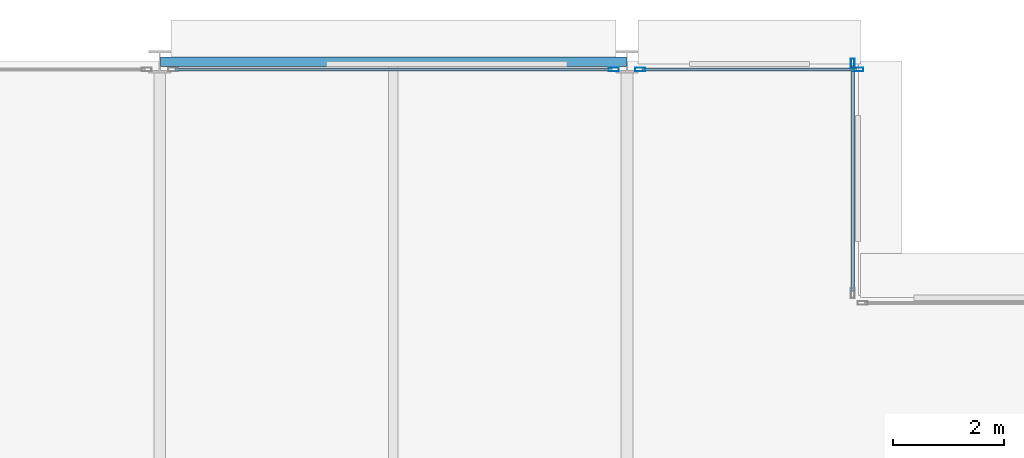
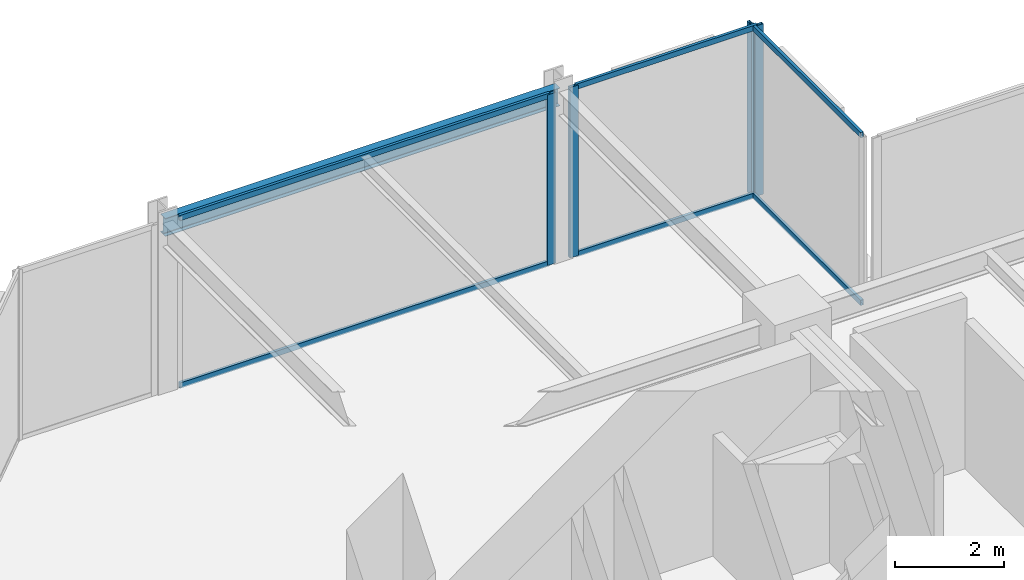
# One storey, part 22 of 30: 10 members, 1 beam, 3 elements without a shape of their own.
"""IFC4 building model written with IfcOpenShell, lengths in metres."""

from ifc_helpers import new_model, si_unit, direction, frame, origin, origin_2d, place, context, subcontext, project, spatial, hollow_rectangle, i_section, extrude, material, layer, layer_set, material_profile, profile_set, type_object, element, aggregate, save


model = new_model("IFC4")

# Units and contexts
model_context = context("Model", 3, precision=1e-05, world=origin(), true_north=direction((0.0, 1.0)))
body_context = subcontext(model_context, "Body", "Model", "MODEL_VIEW")
ifc_project = project(units=[si_unit("LENGTHUNIT", "METRE"), si_unit("AREAUNIT", "SQUARE_METRE"), si_unit("VOLUMEUNIT", "CUBIC_METRE"), si_unit("PLANEANGLEUNIT", "RADIAN"), si_unit("MASSUNIT", "GRAM", prefix="KILO")], contexts=[model_context])

# Site, building, storey
site_placement = place(None, origin())
site = spatial("IfcSite", under=ifc_project, at=site_placement, CompositionType="ELEMENT")
building_placement = place(site_placement, origin())
building = spatial("IfcBuilding", under=site, at=building_placement, Name="Nerrivon Quay Data Exchange", CompositionType="ELEMENT")
storey_placement = place(building_placement, frame((0.0, 0.0, 141.800048828125)))
storey = spatial("IfcBuildingStorey", under=building, at=storey_placement, Name="L33", CompositionType="ELEMENT", Elevation=141.800048828125)

# Beam
ifc_material_1 = material(Name="Steel Grade 350", Category="steel")
ifc_material_profile_1 = material_profile(ifc_material_1, i_section(OverallWidth=0.177978515625, OverallDepth=0.403076171875, WebThickness=0.007568359375, FlangeThickness=0.010986328125, FilletRadius=0.011474609375, at=origin_2d()), Name="410UB53.7")
ifc_profile_set_1 = profile_set([ifc_material_profile_1], Name="Steel Grade 350")
beam_type = type_object("IfcBeamType", Name="BM-SP2-410UB54", PredefinedType="SPANDREL", material=ifc_profile_set_1)
beam_placement = place(storey_placement, frame((8.41259765625, 50.39990234375, 3.62353515625), z_axis=(1.0, 0.0, 0.0), x_axis=(0.0, 1.0, 0.0)))
element("IfcBeam", 1, at=beam_placement, inside=storey, type_object=beam_type, Name="L33 EW Girder Y=50.4 (8.4..16.8)", PredefinedType="SPANDREL", context=body_context, shape_type="SweptSolid", body=[
    extrude(i_section(OverallWidth=0.177978515625, OverallDepth=0.403076171875, WebThickness=0.007568359375, FlangeThickness=0.010986328125, FilletRadius=0.011474609375, at=origin_2d()), origin(), (0.0, 0.0, 1.0), 8.375),
])

# Curtain wall, member
ifc_material_2 = material(Name="Anodised aluminium 6063-T6", Category="aluminium")
ifc_layer = layer(ifc_material_2, 0.2099609375)
ifc_layer_set = layer_set([ifc_layer], Name="Anodised aluminium 6063-T6")
curtain_wall_type = type_object("IfcCurtainWallType", Name="CW-SYS-02", PredefinedType="NOTDEFINED", material=ifc_layer_set)
curtain_wall_1_placement = place(storey_placement, origin())
curtain_wall_1 = element("IfcCurtainWall", 2, at=curtain_wall_1_placement, inside=storey, type_object=curtain_wall_type, Name="L33 Unitised Curtain Wall 19", PredefinedType="NOTDEFINED")
ifc_material_profile_2 = material_profile(ifc_material_2, hollow_rectangle(XDim=0.06494140625, YDim=0.179931640625, WallThickness=0.00341796875, at=origin_2d()), Name="ALU-MULL-180x65")
ifc_profile_set_2 = profile_set([ifc_material_profile_2], Name="Anodised aluminium 6063-T6")
member_type_1 = type_object("IfcMemberType", Name="CWM-180x65", PredefinedType="MULLION", material=ifc_profile_set_2)
member_1_placement = place(storey_placement, frame((16.5625, 50.260009765625, 0.0), z_axis=(0.0, 0.0, 1.0), x_axis=(0.0, 1.0, 0.0)))
member_1 = element("IfcMember", 3, at=member_1_placement, type_object=member_type_1, Name="CW02 mullion 2", PredefinedType="MULLION", context=body_context, shape_type="SweptSolid", body=[
    extrude(hollow_rectangle(XDim=0.06494140625, YDim=0.179931640625, WallThickness=0.00341796875, at=origin_2d()), origin(), (0.0, 0.0, 1.0), 3.824951171875),
])

# Curtain wall, members
curtain_wall_2_placement = place(storey_placement, origin())
curtain_wall_2 = element("IfcCurtainWall", 4, at=curtain_wall_2_placement, inside=storey, type_object=curtain_wall_type, Name="L33 Unitised Curtain Wall 20", PredefinedType="NOTDEFINED")
member_2_placement = place(storey_placement, frame((17.03759765625, 50.260009765625, 0.0), z_axis=(0.0, 0.0, 1.0), x_axis=(0.0, 1.0, 0.0)))
member_2 = element("IfcMember", 5, at=member_2_placement, type_object=member_type_1, Name="CW02 mullion 1", PredefinedType="MULLION", context=body_context, shape_type="SweptSolid", body=[
    extrude(hollow_rectangle(XDim=0.06494140625, YDim=0.179931640625, WallThickness=0.00341796875, at=origin_2d()), origin(), (0.0, 0.0, 1.0), 3.824951171875),
])
member_3_placement = place(storey_placement, frame((20.96240234375, 50.260009765625, 0.0), z_axis=(0.0, 0.0, 1.0), x_axis=(0.0, 1.0, 0.0)))
member_3 = element("IfcMember", 6, at=member_3_placement, type_object=member_type_1, Name="CW02 mullion 2", PredefinedType="MULLION", context=body_context, shape_type="SweptSolid", body=[
    extrude(hollow_rectangle(XDim=0.06494140625, YDim=0.179931640625, WallThickness=0.00341796875, at=origin_2d()), origin(), (0.0, 0.0, 1.0), 3.824951171875),
])

# Curtain wall, member
curtain_wall_3_placement = place(storey_placement, origin())
curtain_wall_3 = element("IfcCurtainWall", 7, at=curtain_wall_3_placement, inside=storey, type_object=curtain_wall_type, Name="L33 Unitised Curtain Wall 21", PredefinedType="NOTDEFINED")
member_4_placement = place(storey_placement, frame((20.860107421875, 50.362548828125, 0.0), z_axis=(0.0, 0.0, 1.0), x_axis=(1.0, 0.0, 0.0)))
member_4 = element("IfcMember", 8, at=member_4_placement, type_object=member_type_1, Name="CW02 mullion 1", PredefinedType="MULLION", context=body_context, shape_type="SweptSolid", body=[
    extrude(hollow_rectangle(XDim=0.06494140625, YDim=0.179931640625, WallThickness=0.00341796875, at=origin_2d()), origin(), (0.0, 0.0, 1.0), 3.824951171875),
])

# Member
ifc_material_profile_3 = material_profile(ifc_material_2, hollow_rectangle(XDim=0.06005859375, YDim=0.1201171875, WallThickness=0.003173828125, at=origin_2d()), Name="ALU-TRAN-120x60")
ifc_profile_set_3 = profile_set([ifc_material_profile_3], Name="Anodised aluminium 6063-T6")
member_type_2 = type_object("IfcMemberType", Name="CWT-120x60", PredefinedType="USERDEFINED", material=ifc_profile_set_3)
member_5_placement = place(storey_placement, frame((8.675048828125, 50.260009765625, 0.032470703125), z_axis=(1.0, 0.0, 0.0), x_axis=(0.0, 1.0, 0.0)))
member_5 = element("IfcMember", 9, at=member_5_placement, type_object=member_type_2, Name="CW02 transom 1.1", ObjectType="TRANSOM", PredefinedType="USERDEFINED", context=body_context, shape_type="SweptSolid", body=[
    extrude(hollow_rectangle(XDim=0.06005859375, YDim=0.1201171875, WallThickness=0.003173828125, at=origin_2d()), origin(), (0.0, 0.0, 1.0), 7.849853515625),
])

member_6_placement = place(storey_placement, frame((8.675048828125, 50.260009765625, 3.79248046875), z_axis=(1.0, 0.0, 0.0), x_axis=(0.0, 1.0, 0.0)))
member_6 = element("IfcMember", 10, at=member_6_placement, type_object=member_type_2, Name="CW02 transom 1.2", ObjectType="TRANSOM", PredefinedType="USERDEFINED", context=body_context, shape_type="SweptSolid", body=[
    extrude(hollow_rectangle(XDim=0.06005859375, YDim=0.1201171875, WallThickness=0.003173828125, at=origin_2d()), origin(), (0.0, 0.0, 1.0), 7.849853515625),
])

aggregate(curtain_wall_1, [member_1, member_5, member_6])

member_7_placement = place(storey_placement, frame((17.074951171875, 50.260009765625, 0.032470703125), z_axis=(1.0, 0.0, 0.0), x_axis=(0.0, 1.0, 0.0)))
member_7 = element("IfcMember", 11, at=member_7_placement, type_object=member_type_2, Name="CW02 transom 1.1", ObjectType="TRANSOM", PredefinedType="USERDEFINED", context=body_context, shape_type="SweptSolid", body=[
    extrude(hollow_rectangle(XDim=0.06005859375, YDim=0.1201171875, WallThickness=0.003173828125, at=origin_2d()), origin(), (0.0, 0.0, 1.0), 3.85009765625),
])

member_8_placement = place(storey_placement, frame((17.074951171875, 50.260009765625, 3.79248046875), z_axis=(1.0, 0.0, 0.0), x_axis=(0.0, 1.0, 0.0)))
member_8 = element("IfcMember", 12, at=member_8_placement, type_object=member_type_2, Name="CW02 transom 1.2", ObjectType="TRANSOM", PredefinedType="USERDEFINED", context=body_context, shape_type="SweptSolid", body=[
    extrude(hollow_rectangle(XDim=0.06005859375, YDim=0.1201171875, WallThickness=0.003173828125, at=origin_2d()), origin(), (0.0, 0.0, 1.0), 3.85009765625),
])

aggregate(curtain_wall_2, [member_2, member_3, member_7, member_8])

member_9_placement = place(storey_placement, frame((20.860107421875, 50.324951171875, 0.032470703125), z_axis=(0.0, -1.0, 0.0), x_axis=(1.0, 0.0, 0.0)))
member_9 = element("IfcMember", 13, at=member_9_placement, type_object=member_type_2, Name="CW02 transom 1.1", ObjectType="TRANSOM", PredefinedType="USERDEFINED", context=body_context, shape_type="SweptSolid", body=[
    extrude(hollow_rectangle(XDim=0.06005859375, YDim=0.1201171875, WallThickness=0.003173828125, at=origin_2d()), origin(), (0.0, 0.0, 1.0), 4.050048828125),
])

member_10_placement = place(storey_placement, frame((20.860107421875, 50.324951171875, 3.79248046875), z_axis=(0.0, -1.0, 0.0), x_axis=(1.0, 0.0, 0.0)))
member_10 = element("IfcMember", 14, at=member_10_placement, type_object=member_type_2, Name="CW02 transom 1.2", ObjectType="TRANSOM", PredefinedType="USERDEFINED", context=body_context, shape_type="SweptSolid", body=[
    extrude(hollow_rectangle(XDim=0.06005859375, YDim=0.1201171875, WallThickness=0.003173828125, at=origin_2d()), origin(), (0.0, 0.0, 1.0), 4.050048828125),
])

aggregate(curtain_wall_3, [member_4, member_9, member_10])

save(model, "model.ifc")
